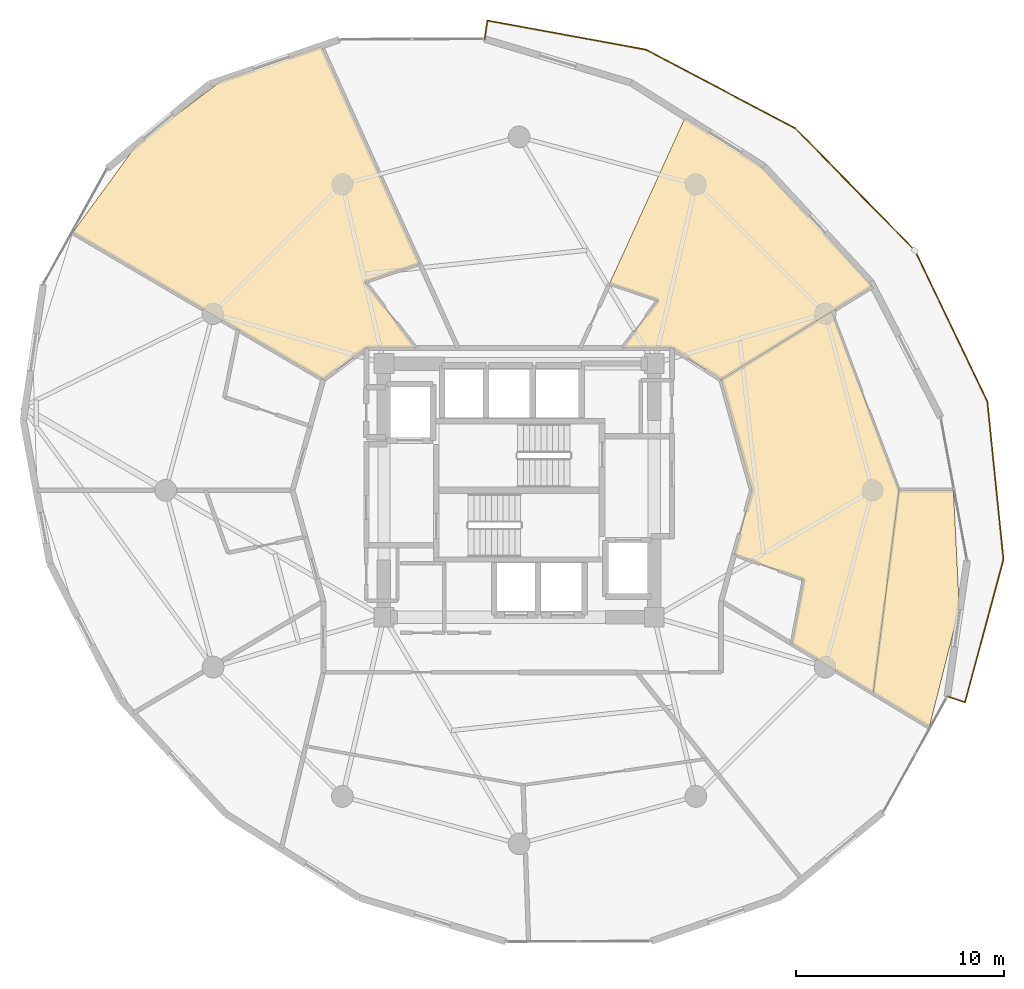
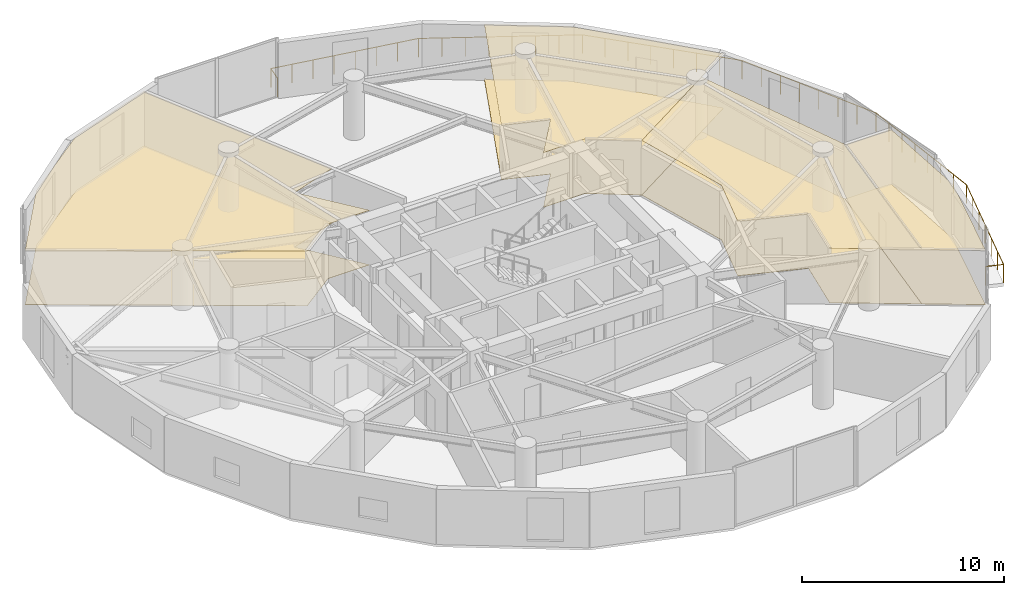
# One storey, part 21 of 21: 8 coverings, 1 railing.
"""IFC4 building model written with IfcOpenShell, lengths in metres."""

from ifc_helpers import new_model, si_unit, direction, frame, origin, origin_2d, place, context, subcontext, project, spatial, polyline, circle, outline, extrude, material, layer, layer_set, type_object, element, save


model = new_model("IFC4")

# Units and contexts
model_context = context("Model", 3, precision=1e-05, world=origin(), true_north=direction((0.0, 1.0)))
body_context = subcontext(model_context, "Body", "Model", "MODEL_VIEW")
ifc_project = project(units=[si_unit("LENGTHUNIT", "METRE"), si_unit("AREAUNIT", "SQUARE_METRE"), si_unit("VOLUMEUNIT", "CUBIC_METRE"), si_unit("PLANEANGLEUNIT", "RADIAN"), si_unit("MASSUNIT", "GRAM", prefix="KILO")], contexts=[model_context])

# Site, building, storey
site_placement = place(None, origin())
site = spatial("IfcSite", under=ifc_project, at=site_placement, CompositionType="ELEMENT")
building_placement = place(site_placement, origin())
building = spatial("IfcBuilding", under=site, at=building_placement, Name="Solvirekh Grand Hotel", CompositionType="ELEMENT")
storey_placement = place(building_placement, frame((0.0, 0.0, 131.39990234375)))
storey = spatial("IfcBuildingStorey", under=building, at=storey_placement, Name="L33", CompositionType="ELEMENT", Elevation=131.39990234375)

# Coverings
ifc_material_1 = material(Name="Acoustic Mineral Ceiling Tile")
ifc_layer_1 = layer(ifc_material_1, 0.02490234375)
ifc_layer_set_1 = layer_set([ifc_layer_1], Name="Acoustic Mineral Ceiling Tile")
covering_type_1 = type_object("IfcCoveringType", Name="Cov_Ceiling_Acoustic", PredefinedType="CEILING", material=ifc_layer_set_1)
covering_1_placement = place(storey_placement, frame((0.0, 0.0, 3.300048828125)))
element("IfcCovering", 1, at=covering_1_placement, inside=storey, type_object=covering_type_1, Name="L33 Deluxe Guestroom 3501 acoustic ceiling", PredefinedType="CEILING", context=body_context, shape_type="SweptSolid", body=[
    extrude(outline(polyline([(4.35107421875, 9.950927734375), (6.695068359375, 9.156005859375), (4.968994140625, 6.85009765625), (7.35009765625, 6.85009765625), (9.719970703125, 5.324951171875), (16.987060546875, 9.80810546875), (14.262939453125, 12.843017578125), (11.443115234375, 15.75), (7.98095703125, 17.925048828125), (4.35107421875, 9.950927734375)])), origin(), (0.0, 0.0, 1.0), 0.01806640625),
])
covering_2_placement = place(storey_placement, frame((0.0, 0.0, 3.300048828125)))
element("IfcCovering", 2, at=covering_2_placement, inside=storey, type_object=covering_type_1, Name="L33 Deluxe Guestroom 3502 acoustic ceiling", PredefinedType="CEILING", context=body_context, shape_type="SweptSolid", body=[
    extrude(outline(polyline([(-4.968994140625, 6.85009765625), (-7.412109375, 10.032958984375), (-4.778076171875, 10.909912109375), (-9.506103515625, 21.35107421875), (-14.31494140625, 19.702880859375), (-18.4189453125, 16.5849609375), (-21.47412109375, 12.39794921875), (-9.419921875, 5.324951171875), (-7.35009765625, 6.85009765625), (-4.968994140625, 6.85009765625)])), origin(), (0.0, 0.0, 1.0), 0.01806640625),
])
covering_3_placement = place(storey_placement, frame((0.0, 0.0, 3.300048828125)))
element("IfcCovering", 3, at=covering_3_placement, inside=storey, type_object=covering_type_1, Name="L33 Executive Suite 3505 Living Room acoustic ceiling", PredefinedType="CEILING", context=body_context, shape_type="SweptSolid", body=[
    extrude(outline(polyline([(13.698974609375, -4.284912109375), (13.123046875, -7.386962890625), (17.027099609375, -9.7529296875), (18.27197265625, 0.0), (15.02490234375, 8.597900390625), (9.719970703125, 5.324951171875), (11.199951171875, 0.0), (10.342041015625, -3.089111328125), (13.698974609375, -4.284912109375)])), origin(), (0.0, 0.0, 1.0), 0.01806640625),
])
covering_4_placement = place(storey_placement, frame((0.0, 0.0, 3.300048828125)))
element("IfcCovering", 4, at=covering_4_placement, inside=storey, type_object=covering_type_1, Name="L33 Executive Suite 3505 Master Bedroom acoustic ceiling", PredefinedType="CEILING", context=body_context, shape_type="SweptSolid", body=[
    extrude(outline(polyline([(19.72998046875, -11.39111328125), (21.173095703125, -5.673095703125), (20.887939453125, 0.0), (18.27197265625, 0.0), (17.027099609375, -9.7529296875), (19.72998046875, -11.39111328125)])), origin(), (0.0, 0.0, 1.0), 0.01806640625),
])
ifc_material_2 = material(Name="Porcelain Stoneware Flooring", Category="masonry")
ifc_layer_2 = layer(ifc_material_2, 0.030029296875)
ifc_layer_set_2 = layer_set([ifc_layer_2], Name="Porcelain Stoneware Flooring")
covering_type_2 = type_object("IfcCoveringType", Name="Cov_Floor_Stone", PredefinedType="FLOORING", material=ifc_layer_set_2)
covering_5_placement = place(storey_placement, origin())
element("IfcCovering", 5, at=covering_5_placement, inside=storey, type_object=covering_type_2, Name="L33 Deluxe Guestroom 3501 polished granite flooring", PredefinedType="FLOORING", context=body_context, shape_type="SweptSolid", body=[
    extrude(outline(polyline([(4.35107421875, 9.950927734375), (6.695068359375, 9.156005859375), (4.968994140625, 6.85009765625), (7.35009765625, 6.85009765625), (9.719970703125, 5.324951171875), (16.987060546875, 9.80810546875), (14.262939453125, 12.843017578125), (11.443115234375, 15.75), (7.98095703125, 17.925048828125), (4.35107421875, 9.950927734375)])), origin(), (0.0, 0.0, 1.0), 0.02001953125),
])
covering_6_placement = place(storey_placement, origin())
element("IfcCovering", 6, at=covering_6_placement, inside=storey, type_object=covering_type_2, Name="L33 Deluxe Guestroom 3502 polished granite flooring", PredefinedType="FLOORING", context=body_context, shape_type="SweptSolid", body=[
    extrude(outline(polyline([(-4.968994140625, 6.85009765625), (-7.412109375, 10.032958984375), (-4.778076171875, 10.909912109375), (-9.506103515625, 21.35107421875), (-14.31494140625, 19.702880859375), (-18.4189453125, 16.5849609375), (-21.47412109375, 12.39794921875), (-9.419921875, 5.324951171875), (-7.35009765625, 6.85009765625), (-4.968994140625, 6.85009765625)])), origin(), (0.0, 0.0, 1.0), 0.02001953125),
])
covering_7_placement = place(storey_placement, origin())
element("IfcCovering", 7, at=covering_7_placement, inside=storey, type_object=covering_type_2, Name="L33 Executive Suite 3505 Living Room polished granite flooring", PredefinedType="FLOORING", context=body_context, shape_type="SweptSolid", body=[
    extrude(outline(polyline([(13.698974609375, -4.284912109375), (13.123046875, -7.386962890625), (17.027099609375, -9.7529296875), (18.27197265625, 0.0), (15.02490234375, 8.597900390625), (9.719970703125, 5.324951171875), (11.199951171875, 0.0), (10.342041015625, -3.089111328125), (13.698974609375, -4.284912109375)])), origin(), (0.0, 0.0, 1.0), 0.02001953125),
])
covering_8_placement = place(storey_placement, origin())
element("IfcCovering", 8, at=covering_8_placement, inside=storey, type_object=covering_type_2, Name="L33 Executive Suite 3505 Master Bedroom polished granite flooring", PredefinedType="FLOORING", context=body_context, shape_type="SweptSolid", body=[
    extrude(outline(polyline([(19.72998046875, -11.39111328125), (21.173095703125, -5.673095703125), (20.887939453125, 0.0), (18.27197265625, 0.0), (17.027099609375, -9.7529296875), (19.72998046875, -11.39111328125)])), origin(), (0.0, 0.0, 1.0), 0.02001953125),
])

# Railing
ifc_material_3 = material(Name="Anodized Bronze Aluminium 6063-T6", Category="aluminium")
railing_type = type_object("IfcRailingType", Name="Guard_ExtGlass_1150", PredefinedType="BALUSTRADE", material=ifc_material_3)
railing_placement = place(storey_placement, frame((20.594970703125, -9.909912109375, 0.0)))
element("IfcRailing", 9, at=railing_placement, inside=storey, type_object=railing_type, Name="L33 balc perimeter glass balustrade", PredefinedType="BALUSTRADE", context=body_context, shape_type="SweptSolid", body=[
    extrude(circle(Radius=0.02392578125, at=origin_2d()), frame((0.0, 0.0, 1.1259765625), z_axis=(0.948845924708, -0.315739467227, 0.0), x_axis=(0.315739467227, 0.948845924708, 0.0)), (0.0, 0.0, 1.0), 0.900146484375),
    extrude(circle(Radius=0.02392578125, at=origin_2d()), frame((0.85400390625, -0.2841796875, 1.1259765625), z_axis=(0.259939011357, 0.965625036116, 0.0), x_axis=(-0.965625036116, 0.259939011357, 0.0)), (0.0, 0.0, 1.0), 7.11376953125),
    extrude(circle(Radius=0.02392578125, at=origin_2d()), frame((2.703125, 6.5849609375, 1.1259765625), z_axis=(-0.101488540391, 0.994836708294, 0.0), x_axis=(-0.994836708294, -0.101488540391, 0.0)), (0.0, 0.0, 1.0), 7.6474609375),
    extrude(circle(Radius=0.02392578125, at=origin_2d()), frame((1.927001953125, 14.19287109375, 1.1259765625), z_axis=(-0.432879071762, 0.901452000514, 0.0), x_axis=(-0.901452000514, -0.432879071762, 0.0)), (0.0, 0.0, 1.0), 8.043701171875),
    extrude(circle(Radius=0.02392578125, at=origin_2d()), frame((-1.554931640625, 21.44384765625, 1.1259765625), z_axis=(-0.699101433929, 0.715022506694, 0.0), x_axis=(-0.715022506694, -0.699101433929, 0.0)), (0.0, 0.0, 1.0), 8.21923828125),
    extrude(circle(Radius=0.02392578125, at=origin_2d()), frame((-7.301025390625, 27.32080078125, 1.1259765625), z_axis=(-0.88469392572, 0.466172347737, 0.0), x_axis=(-0.466172347737, -0.88469392572, 0.0)), (0.0, 0.0, 1.0), 8.1259765625),
    extrude(circle(Radius=0.02392578125, at=origin_2d()), frame((-14.489990234375, 31.10888671875, 1.1259765625), z_axis=(-0.983567009152, 0.180543453239, 0.0), x_axis=(-0.180543453239, -0.983567009152, 0.0)), (0.0, 0.0, 1.0), 7.760498046875),
    extrude(circle(Radius=0.02392578125, at=origin_2d()), frame((-22.123046875, 32.510009765625, 1.1259765625), z_axis=(-0.146352212277, -0.989232545947, 0.0), x_axis=(0.989232545947, -0.146352212277, 0.0)), (0.0, 0.0, 1.0), 0.90087890625),
    extrude(circle(Radius=0.02099609375, at=origin_2d()), origin(), (0.0, 0.0, 1.0), 1.101806640625),
    extrude(circle(Radius=0.02099609375, at=origin_2d()), frame((0.85400390625, -0.2841796875, 0.0)), (0.0, 0.0, 1.0), 1.101806640625),
    extrude(circle(Radius=0.02099609375, at=origin_2d()), frame((1.162109375, 0.860595703125, 0.0)), (0.0, 0.0, 1.0), 1.101806640625),
    extrude(circle(Radius=0.02099609375, at=origin_2d()), frame((1.470458984375, 2.005615234375, 0.0)), (0.0, 0.0, 1.0), 1.101806640625),
    extrude(circle(Radius=0.02099609375, at=origin_2d()), frame((1.778564453125, 3.150390625, 0.0)), (0.0, 0.0, 1.0), 1.101806640625),
    extrude(circle(Radius=0.02099609375, at=origin_2d()), frame((2.086669921875, 4.295166015625, 0.0)), (0.0, 0.0, 1.0), 1.101806640625),
    extrude(circle(Radius=0.02099609375, at=origin_2d()), frame((2.39501953125, 5.440185546875, 0.0)), (0.0, 0.0, 1.0), 1.101806640625),
    extrude(circle(Radius=0.02099609375, at=origin_2d()), frame((2.703125, 6.5849609375, 0.0)), (0.0, 0.0, 1.0), 1.101806640625),
    extrude(circle(Radius=0.02099609375, at=origin_2d()), frame((2.59228515625, 7.671875, 0.0)), (0.0, 0.0, 1.0), 1.101806640625),
    extrude(circle(Radius=0.02099609375, at=origin_2d()), frame((2.4814453125, 8.758544921875, 0.0)), (0.0, 0.0, 1.0), 1.101806640625),
    extrude(circle(Radius=0.02099609375, at=origin_2d()), frame((2.37060546875, 9.845458984375, 0.0)), (0.0, 0.0, 1.0), 1.101806640625),
    extrude(circle(Radius=0.02099609375, at=origin_2d()), frame((2.259521484375, 10.932373046875, 0.0)), (0.0, 0.0, 1.0), 1.101806640625),
    extrude(circle(Radius=0.02099609375, at=origin_2d()), frame((2.148681640625, 12.019287109375, 0.0)), (0.0, 0.0, 1.0), 1.101806640625),
    extrude(circle(Radius=0.02099609375, at=origin_2d()), frame((2.037841796875, 13.10595703125, 0.0)), (0.0, 0.0, 1.0), 1.101806640625),
    extrude(circle(Radius=0.02099609375, at=origin_2d()), frame((1.927001953125, 14.19287109375, 0.0)), (0.0, 0.0, 1.0), 1.101806640625),
    extrude(circle(Radius=0.02099609375, at=origin_2d()), frame((1.4296875, 15.228759765625, 0.0)), (0.0, 0.0, 1.0), 1.101806640625),
    extrude(circle(Radius=0.02099609375, at=origin_2d()), frame((0.93212890625, 16.2646484375, 0.0)), (0.0, 0.0, 1.0), 1.101806640625),
    extrude(circle(Radius=0.02099609375, at=origin_2d()), frame((0.434814453125, 17.300537109375, 0.0)), (0.0, 0.0, 1.0), 1.101806640625),
    extrude(circle(Radius=0.02099609375, at=origin_2d()), frame((-0.062744140625, 18.336181640625, 0.0)), (0.0, 0.0, 1.0), 1.101806640625),
    extrude(circle(Radius=0.02099609375, at=origin_2d()), frame((-0.56005859375, 19.3720703125, 0.0)), (0.0, 0.0, 1.0), 1.101806640625),
    extrude(circle(Radius=0.02099609375, at=origin_2d()), frame((-1.0576171875, 20.407958984375, 0.0)), (0.0, 0.0, 1.0), 1.101806640625),
    extrude(circle(Radius=0.02099609375, at=origin_2d()), frame((-1.554931640625, 21.44384765625, 0.0)), (0.0, 0.0, 1.0), 1.101806640625),
    extrude(circle(Radius=0.02099609375, at=origin_2d()), frame((-2.375732421875, 22.283447265625, 0.0)), (0.0, 0.0, 1.0), 1.101806640625),
    extrude(circle(Radius=0.02099609375, at=origin_2d()), frame((-3.19677734375, 23.123046875, 0.0)), (0.0, 0.0, 1.0), 1.101806640625),
    extrude(circle(Radius=0.02099609375, at=origin_2d()), frame((-4.017578125, 23.962646484375, 0.0)), (0.0, 0.0, 1.0), 1.101806640625),
    extrude(circle(Radius=0.02099609375, at=origin_2d()), frame((-4.83837890625, 24.802001953125, 0.0)), (0.0, 0.0, 1.0), 1.101806640625),
    extrude(circle(Radius=0.02099609375, at=origin_2d()), frame((-5.6591796875, 25.6416015625, 0.0)), (0.0, 0.0, 1.0), 1.101806640625),
    extrude(circle(Radius=0.02099609375, at=origin_2d()), frame((-6.480224609375, 26.481201171875, 0.0)), (0.0, 0.0, 1.0), 1.101806640625),
    extrude(circle(Radius=0.02099609375, at=origin_2d()), frame((-7.301025390625, 27.32080078125, 0.0)), (0.0, 0.0, 1.0), 1.101806640625),
    extrude(circle(Radius=0.02099609375, at=origin_2d()), frame((-8.328125, 27.862060546875, 0.0)), (0.0, 0.0, 1.0), 1.101806640625),
    extrude(circle(Radius=0.02099609375, at=origin_2d()), frame((-9.35498046875, 28.403076171875, 0.0)), (0.0, 0.0, 1.0), 1.101806640625),
    extrude(circle(Radius=0.02099609375, at=origin_2d()), frame((-10.382080078125, 28.9443359375, 0.0)), (0.0, 0.0, 1.0), 1.101806640625),
    extrude(circle(Radius=0.02099609375, at=origin_2d()), frame((-11.408935546875, 29.4853515625, 0.0)), (0.0, 0.0, 1.0), 1.101806640625),
    extrude(circle(Radius=0.02099609375, at=origin_2d()), frame((-12.43603515625, 30.026611328125, 0.0)), (0.0, 0.0, 1.0), 1.101806640625),
    extrude(circle(Radius=0.02099609375, at=origin_2d()), frame((-13.462890625, 30.567626953125, 0.0)), (0.0, 0.0, 1.0), 1.101806640625),
    extrude(circle(Radius=0.02099609375, at=origin_2d()), frame((-14.489990234375, 31.10888671875, 0.0)), (0.0, 0.0, 1.0), 1.101806640625),
    extrude(circle(Radius=0.02099609375, at=origin_2d()), frame((-15.580322265625, 31.30908203125, 0.0)), (0.0, 0.0, 1.0), 1.101806640625),
    extrude(circle(Radius=0.02099609375, at=origin_2d()), frame((-16.6708984375, 31.50927734375, 0.0)), (0.0, 0.0, 1.0), 1.101806640625),
    extrude(circle(Radius=0.02099609375, at=origin_2d()), frame((-17.76123046875, 31.70947265625, 0.0)), (0.0, 0.0, 1.0), 1.101806640625),
    extrude(circle(Radius=0.02099609375, at=origin_2d()), frame((-18.851806640625, 31.909423828125, 0.0)), (0.0, 0.0, 1.0), 1.101806640625),
    extrude(circle(Radius=0.02099609375, at=origin_2d()), frame((-19.942138671875, 32.109619140625, 0.0)), (0.0, 0.0, 1.0), 1.101806640625),
    extrude(circle(Radius=0.02099609375, at=origin_2d()), frame((-21.03271484375, 32.309814453125, 0.0)), (0.0, 0.0, 1.0), 1.101806640625),
    extrude(circle(Radius=0.02099609375, at=origin_2d()), frame((-22.123046875, 32.510009765625, 0.0)), (0.0, 0.0, 1.0), 1.101806640625),
    extrude(circle(Radius=0.02099609375, at=origin_2d()), frame((-22.2548828125, 31.618896484375, 0.0)), (0.0, 0.0, 1.0), 1.101806640625),
])

save(model, "model.ifc")
